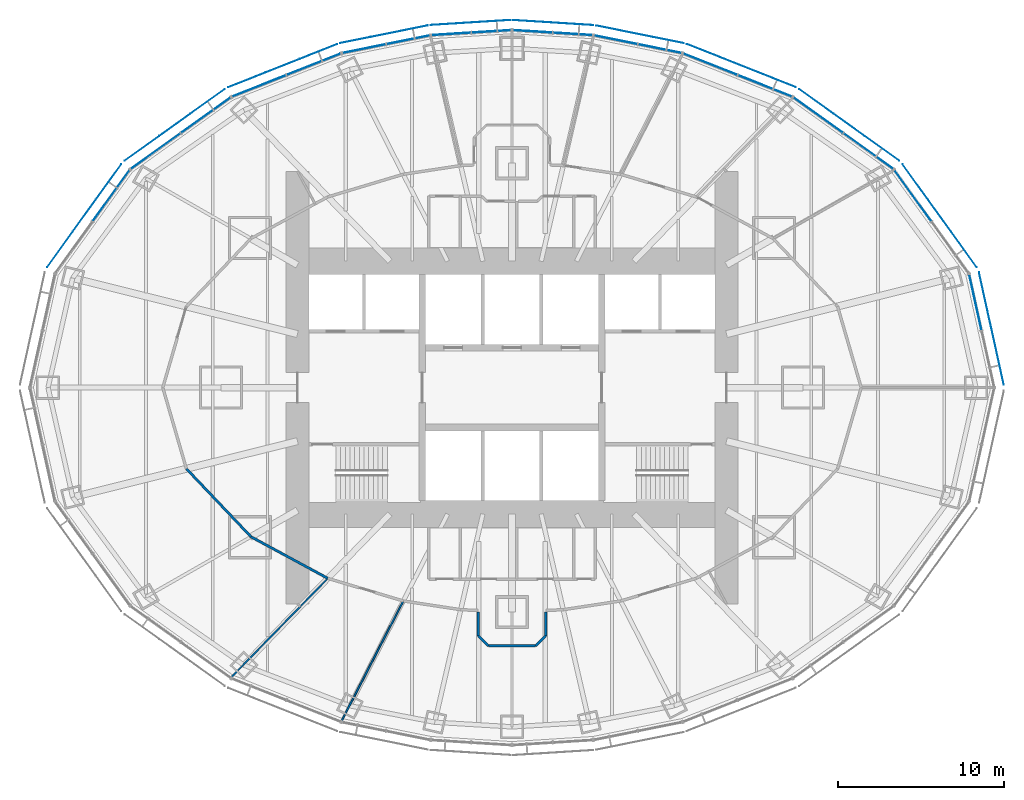
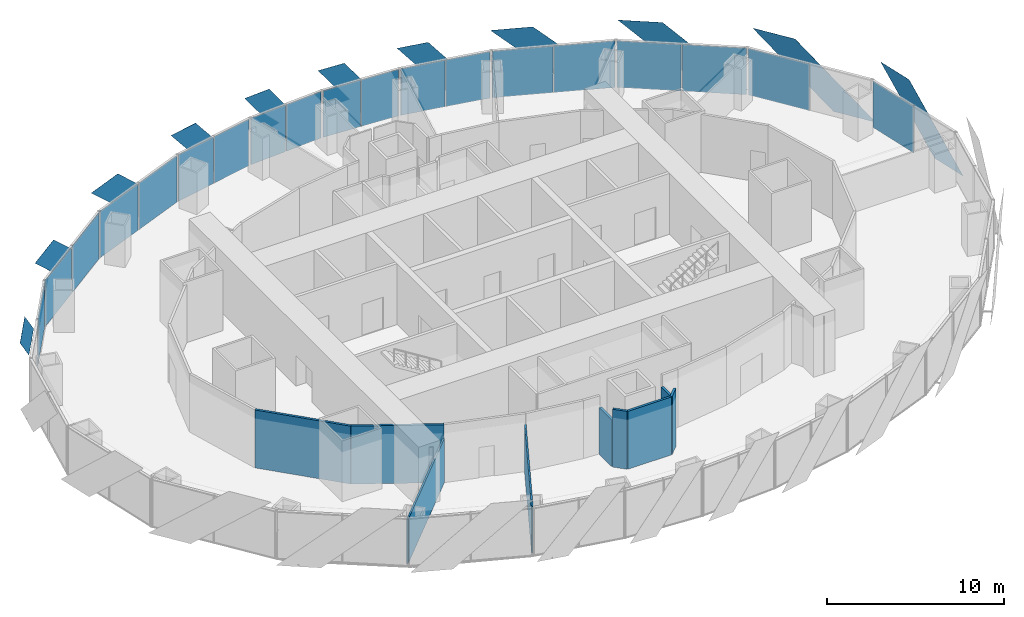
# One storey, part 10 of 18: 30 plates, 9 walls, 11 elements without a shape of their own.
"""IFC4 building model written with IfcOpenShell, lengths in metres."""

from ifc_helpers import new_model, si_unit, direction, frame, frame_2d, origin, origin_2d, place, context, subcontext, project, spatial, polyline, rectangle, outline, extrude, material, layer, layer_set, type_object, element, aggregate, save


model = new_model("IFC4")

# Units and contexts
model_context = context("Model", 3, precision=1e-05, world=origin(), true_north=direction((0.0, 1.0)))
body_context = subcontext(model_context, "Body", "Model", "MODEL_VIEW")
ifc_project = project(units=[si_unit("LENGTHUNIT", "METRE"), si_unit("AREAUNIT", "SQUARE_METRE"), si_unit("VOLUMEUNIT", "CUBIC_METRE"), si_unit("PLANEANGLEUNIT", "RADIAN"), si_unit("MASSUNIT", "GRAM", prefix="KILO")], contexts=[model_context])

# Site, building, storey
site_placement = place(None, origin())
site = spatial("IfcSite", under=ifc_project, at=site_placement, CompositionType="ELEMENT")
building_placement = place(site_placement, origin())
building = spatial("IfcBuilding", under=site, at=building_placement, Name="Lantaw Convention Tower", CompositionType="ELEMENT")
storey_placement = place(building_placement, frame((0.0, 0.0, 188.800048828125)))
storey = spatial("IfcBuildingStorey", under=building, at=storey_placement, Name="L44", CompositionType="ELEMENT", Elevation=188.800048828125)

# Curtain wall, plate
ifc_material_1 = material(Name="Aluminium framed curtain wall", Category="aluminium")
curtain_wall_type = type_object("IfcCurtainWallType", Name="Office curtain wall low rise, pale aluminium", PredefinedType="USERDEFINED", material=ifc_material_1)
curtain_wall_1_placement = place(storey_placement, origin())
curtain_wall_1 = element("IfcCurtainWall", 1, at=curtain_wall_1_placement, inside=storey, type_object=curtain_wall_type, Name="Office curtain wall low rise, pale aluminium L44", ObjectType="UNITISED CURTAIN WALL", PredefinedType="USERDEFINED")
ifc_material_2 = material(Name="Clear insulating glass", Category="glass")
ifc_layer_1 = layer(ifc_material_2, 0.028076171875)
ifc_layer_set_1 = layer_set([ifc_layer_1], Name="CW-O1 panel 28")
plate_type_1 = type_object("IfcPlateType", Name="CW-O1 panel 28", PredefinedType="CURTAIN_PANEL", material=ifc_layer_set_1)
plate_1_placement = place(storey_placement, frame((27.868896484375, 5.1240234375, -0.0849609375), z_axis=(0.0, 0.0, 1.0), x_axis=(-0.215546166174, 0.9764936509, 0.0)))
plate_1 = element("IfcPlate", 2, at=plate_1_placement, type_object=plate_type_1, Name="CW-O1 panel 2.1", PredefinedType="CURTAIN_PANEL", context=body_context, shape_type="SweptSolid", body=[
    extrude(rectangle(XDim=3.41162109375, YDim=0.028076171875, at=origin_2d()), origin(), (0.0, 0.0, 1.0), 3.219970703125),
])
aggregate(curtain_wall_1, [plate_1])

curtain_wall_2_placement = place(storey_placement, origin())
curtain_wall_2 = element("IfcCurtainWall", 3, at=curtain_wall_2_placement, inside=storey, type_object=curtain_wall_type, Name="Office curtain wall low rise, pale aluminium L44", ObjectType="UNITISED CURTAIN WALL", PredefinedType="USERDEFINED")
plate_2_placement = place(storey_placement, frame((24.108154296875, 11.5439453125, -0.0849609375), z_axis=(0.0, 0.0, 1.0), x_axis=(-0.584512597221, 0.811384633629, 0.0)))
plate_2 = element("IfcPlate", 4, at=plate_2_placement, type_object=plate_type_1, Name="CW-O1 panel 2.1", PredefinedType="CURTAIN_PANEL", context=body_context, shape_type="SweptSolid", body=[
    extrude(rectangle(XDim=3.767333984375, YDim=0.028076171875, at=origin_2d()), origin(), (0.0, 0.0, 1.0), 3.219970703125),
])
aggregate(curtain_wall_2, [plate_2])

# Curtain wall, plates
curtain_wall_3_placement = place(storey_placement, origin())
curtain_wall_3 = element("IfcCurtainWall", 5, at=curtain_wall_3_placement, inside=storey, type_object=curtain_wall_type, Name="Office curtain wall low rise, pale aluminium L44", ObjectType="UNITISED CURTAIN WALL", PredefinedType="USERDEFINED")
plate_3_placement = place(storey_placement, frame((21.43408203125, 14.2236328125, -0.0849609375), z_axis=(0.0, 0.0, 1.0), x_axis=(-0.813208325995, 0.581972695693, 0.0)))
plate_3 = element("IfcPlate", 6, at=plate_3_placement, type_object=plate_type_1, Name="CW-O1 panel 1.1", PredefinedType="CURTAIN_PANEL", context=body_context, shape_type="SweptSolid", body=[
    extrude(rectangle(XDim=3.645263671875, YDim=0.028076171875, at=origin_2d()), origin(), (0.0, 0.0, 1.0), 3.219970703125),
])
plate_4_placement = place(storey_placement, frame((18.416748046875, 16.383056640625, -0.0849609375), z_axis=(0.0, 0.0, 1.0), x_axis=(-0.813208325995, 0.581972695693, 0.0)))
plate_4 = element("IfcPlate", 7, at=plate_4_placement, type_object=plate_type_1, Name="CW-O1 panel 2.1", PredefinedType="CURTAIN_PANEL", context=body_context, shape_type="SweptSolid", body=[
    extrude(rectangle(XDim=3.645263671875, YDim=0.028076171875, at=origin_2d()), origin(), (0.0, 0.0, 1.0), 3.219970703125),
])
aggregate(curtain_wall_3, [plate_3, plate_4])

curtain_wall_4_placement = place(storey_placement, origin())
curtain_wall_4 = element("IfcCurtainWall", 8, at=curtain_wall_4_placement, inside=storey, type_object=curtain_wall_type, Name="Office curtain wall low rise, pale aluminium L44", ObjectType="UNITISED CURTAIN WALL", PredefinedType="USERDEFINED")
plate_5_placement = place(storey_placement, frame((15.208251953125, 18.145263671875, -0.0849609375), z_axis=(0.0, 0.0, 1.0), x_axis=(-0.929547687544, 0.368701907483, 0.0)))
plate_5 = element("IfcPlate", 9, at=plate_5_placement, type_object=plate_type_1, Name="CW-O1 panel 1.1", PredefinedType="CURTAIN_PANEL", context=body_context, shape_type="SweptSolid", body=[
    extrude(rectangle(XDim=3.470703125, YDim=0.028076171875, at=origin_2d()), origin(), (0.0, 0.0, 1.0), 3.219970703125),
])
plate_6_placement = place(storey_placement, frame((11.921630859375, 19.448974609375, -0.0849609375), z_axis=(0.0, 0.0, 1.0), x_axis=(-0.929547687544, 0.368701907483, 0.0)))
plate_6 = element("IfcPlate", 10, at=plate_6_placement, type_object=plate_type_1, Name="CW-O1 panel 2.1", PredefinedType="CURTAIN_PANEL", context=body_context, shape_type="SweptSolid", body=[
    extrude(rectangle(XDim=3.470703125, YDim=0.028076171875, at=origin_2d()), origin(), (0.0, 0.0, 1.0), 3.219970703125),
])
aggregate(curtain_wall_4, [plate_5, plate_6])

curtain_wall_5_placement = place(storey_placement, origin())
curtain_wall_5 = element("IfcCurtainWall", 11, at=curtain_wall_5_placement, inside=storey, type_object=curtain_wall_type, Name="Office curtain wall low rise, pale aluminium L44", ObjectType="UNITISED CURTAIN WALL", PredefinedType="USERDEFINED")
plate_7_placement = place(storey_placement, frame((8.893310546875, 20.3857421875, -0.0849609375), z_axis=(0.0, 0.0, 1.0), x_axis=(-0.980301514912, 0.197506809659, 0.0)))
plate_7 = element("IfcPlate", 12, at=plate_7_placement, type_object=plate_type_1, Name="CW-O1 panel 1.1", PredefinedType="CURTAIN_PANEL", context=body_context, shape_type="SweptSolid", body=[
    extrude(rectangle(XDim=2.634033203125, YDim=0.028076171875, at=origin_2d()), origin(), (0.0, 0.0, 1.0), 3.219970703125),
])
plate_8_placement = place(storey_placement, frame((6.247314453125, 20.9189453125, -0.0849609375), z_axis=(0.0, 0.0, 1.0), x_axis=(-0.980301514912, 0.197506809659, 0.0)))
plate_8 = element("IfcPlate", 13, at=plate_8_placement, type_object=plate_type_1, Name="CW-O1 panel 2.1", PredefinedType="CURTAIN_PANEL", context=body_context, shape_type="SweptSolid", body=[
    extrude(rectangle(XDim=2.634033203125, YDim=0.028076171875, at=origin_2d()), origin(), (0.0, 0.0, 1.0), 3.219970703125),
])
aggregate(curtain_wall_5, [plate_7, plate_8])

curtain_wall_6_placement = place(storey_placement, origin())
curtain_wall_6 = element("IfcCurtainWall", 14, at=curtain_wall_6_placement, inside=storey, type_object=curtain_wall_type, Name="Office curtain wall low rise, pale aluminium L44", ObjectType="UNITISED CURTAIN WALL", PredefinedType="USERDEFINED")
plate_9_placement = place(storey_placement, frame((3.653076171875, 21.269775390625, -0.0849609375), z_axis=(0.0, 0.0, 1.0), x_axis=(-0.998022035978, 0.062865059466, 0.0)))
plate_9 = element("IfcPlate", 15, at=plate_9_placement, type_object=plate_type_1, Name="CW-O1 panel 1.1", PredefinedType="CURTAIN_PANEL", context=body_context, shape_type="SweptSolid", body=[
    extrude(rectangle(XDim=2.353515625, YDim=0.028076171875, at=origin_2d()), origin(), (0.0, 0.0, 1.0), 3.219970703125),
])
plate_10_placement = place(storey_placement, frame((1.2392578125, 21.421875, -0.0849609375), z_axis=(0.0, 0.0, 1.0), x_axis=(-0.998022035978, 0.062865059466, 0.0)))
plate_10 = element("IfcPlate", 16, at=plate_10_placement, type_object=plate_type_1, Name="CW-O1 panel 2.1", PredefinedType="CURTAIN_PANEL", context=body_context, shape_type="SweptSolid", body=[
    extrude(rectangle(XDim=2.353515625, YDim=0.028076171875, at=origin_2d()), origin(), (0.0, 0.0, 1.0), 3.219970703125),
])
aggregate(curtain_wall_6, [plate_9, plate_10])

curtain_wall_7_placement = place(storey_placement, origin())
curtain_wall_7 = element("IfcCurtainWall", 17, at=curtain_wall_7_placement, inside=storey, type_object=curtain_wall_type, Name="Office curtain wall low rise, pale aluminium L44", ObjectType="UNITISED CURTAIN WALL", PredefinedType="USERDEFINED")
plate_11_placement = place(storey_placement, frame((-1.2392578125, 21.421875, -0.0849609375), z_axis=(0.0, 0.0, 1.0), x_axis=(-0.998022035978, -0.062865059466, 0.0)))
plate_11 = element("IfcPlate", 18, at=plate_11_placement, type_object=plate_type_1, Name="CW-O1 panel 1.1", PredefinedType="CURTAIN_PANEL", context=body_context, shape_type="SweptSolid", body=[
    extrude(rectangle(XDim=2.353515625, YDim=0.028076171875, at=origin_2d()), origin(), (0.0, 0.0, 1.0), 3.219970703125),
])
plate_12_placement = place(storey_placement, frame((-3.653076171875, 21.269775390625, -0.0849609375), z_axis=(0.0, 0.0, 1.0), x_axis=(-0.998022035978, -0.062865059466, 0.0)))
plate_12 = element("IfcPlate", 19, at=plate_12_placement, type_object=plate_type_1, Name="CW-O1 panel 2.1", PredefinedType="CURTAIN_PANEL", context=body_context, shape_type="SweptSolid", body=[
    extrude(rectangle(XDim=2.353515625, YDim=0.028076171875, at=origin_2d()), origin(), (0.0, 0.0, 1.0), 3.219970703125),
])
aggregate(curtain_wall_7, [plate_11, plate_12])

curtain_wall_8_placement = place(storey_placement, origin())
curtain_wall_8 = element("IfcCurtainWall", 20, at=curtain_wall_8_placement, inside=storey, type_object=curtain_wall_type, Name="Office curtain wall low rise, pale aluminium L44", ObjectType="UNITISED CURTAIN WALL", PredefinedType="USERDEFINED")
plate_13_placement = place(storey_placement, frame((-6.247314453125, 20.9189453125, -0.0849609375), z_axis=(0.0, 0.0, 1.0), x_axis=(-0.980301514912, -0.197506809659, 0.0)))
plate_13 = element("IfcPlate", 21, at=plate_13_placement, type_object=plate_type_1, Name="CW-O1 panel 1.1", PredefinedType="CURTAIN_PANEL", context=body_context, shape_type="SweptSolid", body=[
    extrude(rectangle(XDim=2.634033203125, YDim=0.028076171875, at=origin_2d()), origin(), (0.0, 0.0, 1.0), 3.219970703125),
])
plate_14_placement = place(storey_placement, frame((-8.893310546875, 20.3857421875, -0.0849609375), z_axis=(0.0, 0.0, 1.0), x_axis=(-0.980301514912, -0.197506809659, 0.0)))
plate_14 = element("IfcPlate", 22, at=plate_14_placement, type_object=plate_type_1, Name="CW-O1 panel 2.1", PredefinedType="CURTAIN_PANEL", context=body_context, shape_type="SweptSolid", body=[
    extrude(rectangle(XDim=2.634033203125, YDim=0.028076171875, at=origin_2d()), origin(), (0.0, 0.0, 1.0), 3.219970703125),
])
aggregate(curtain_wall_8, [plate_13, plate_14])

curtain_wall_9_placement = place(storey_placement, origin())
curtain_wall_9 = element("IfcCurtainWall", 23, at=curtain_wall_9_placement, inside=storey, type_object=curtain_wall_type, Name="Office curtain wall low rise, pale aluminium L44", ObjectType="UNITISED CURTAIN WALL", PredefinedType="USERDEFINED")
plate_15_placement = place(storey_placement, frame((-11.921630859375, 19.448974609375, -0.0849609375), z_axis=(0.0, 0.0, 1.0), x_axis=(-0.929547687544, -0.368701907483, 0.0)))
plate_15 = element("IfcPlate", 24, at=plate_15_placement, type_object=plate_type_1, Name="CW-O1 panel 1.1", PredefinedType="CURTAIN_PANEL", context=body_context, shape_type="SweptSolid", body=[
    extrude(rectangle(XDim=3.470703125, YDim=0.028076171875, at=origin_2d()), origin(), (0.0, 0.0, 1.0), 3.219970703125),
])
plate_16_placement = place(storey_placement, frame((-15.208251953125, 18.145263671875, -0.0849609375), z_axis=(0.0, 0.0, 1.0), x_axis=(-0.929547687544, -0.368701907483, 0.0)))
plate_16 = element("IfcPlate", 25, at=plate_16_placement, type_object=plate_type_1, Name="CW-O1 panel 2.1", PredefinedType="CURTAIN_PANEL", context=body_context, shape_type="SweptSolid", body=[
    extrude(rectangle(XDim=3.470703125, YDim=0.028076171875, at=origin_2d()), origin(), (0.0, 0.0, 1.0), 3.219970703125),
])
aggregate(curtain_wall_9, [plate_15, plate_16])

curtain_wall_10_placement = place(storey_placement, origin())
curtain_wall_10 = element("IfcCurtainWall", 26, at=curtain_wall_10_placement, inside=storey, type_object=curtain_wall_type, Name="Office curtain wall low rise, pale aluminium L44", ObjectType="UNITISED CURTAIN WALL", PredefinedType="USERDEFINED")
plate_17_placement = place(storey_placement, frame((-18.416748046875, 16.383056640625, -0.0849609375), z_axis=(0.0, 0.0, 1.0), x_axis=(-0.813208325995, -0.581972695693, 0.0)))
plate_17 = element("IfcPlate", 27, at=plate_17_placement, type_object=plate_type_1, Name="CW-O1 panel 1.1", PredefinedType="CURTAIN_PANEL", context=body_context, shape_type="SweptSolid", body=[
    extrude(rectangle(XDim=3.645263671875, YDim=0.028076171875, at=origin_2d()), origin(), (0.0, 0.0, 1.0), 3.219970703125),
])
plate_18_placement = place(storey_placement, frame((-21.43408203125, 14.2236328125, -0.0849609375), z_axis=(0.0, 0.0, 1.0), x_axis=(-0.813208325995, -0.581972695693, 0.0)))
plate_18 = element("IfcPlate", 28, at=plate_18_placement, type_object=plate_type_1, Name="CW-O1 panel 2.1", PredefinedType="CURTAIN_PANEL", context=body_context, shape_type="SweptSolid", body=[
    extrude(rectangle(XDim=3.645263671875, YDim=0.028076171875, at=origin_2d()), origin(), (0.0, 0.0, 1.0), 3.219970703125),
])
aggregate(curtain_wall_10, [plate_17, plate_18])

# Curtain wall, plate
curtain_wall_11_placement = place(storey_placement, origin())
curtain_wall_11 = element("IfcCurtainWall", 29, at=curtain_wall_11_placement, inside=storey, type_object=curtain_wall_type, Name="Office curtain wall low rise, pale aluminium L44", ObjectType="UNITISED CURTAIN WALL", PredefinedType="USERDEFINED")
plate_19_placement = place(storey_placement, frame((-24.108154296875, 11.5439453125, -0.0849609375), z_axis=(0.0, 0.0, 1.0), x_axis=(-0.584512597221, -0.811384633629, 0.0)))
plate_19 = element("IfcPlate", 30, at=plate_19_placement, type_object=plate_type_1, Name="CW-O1 panel 1.1", PredefinedType="CURTAIN_PANEL", context=body_context, shape_type="SweptSolid", body=[
    extrude(rectangle(XDim=3.767333984375, YDim=0.028076171875, at=origin_2d()), origin(), (0.0, 0.0, 1.0), 3.219970703125),
])
aggregate(curtain_wall_11, [plate_19])

# Plates
ifc_material_3 = material(Name="Perforated aluminium sheet, pale silver finish", Category="aluminium")
ifc_layer_2 = layer(ifc_material_3, 0.006103515625)
ifc_layer_set_2 = layer_set([ifc_layer_2], Name="Perforated aluminium solar SCREEN panel")
plate_type_2 = type_object("IfcPlateType", Name="Perforated aluminium solar SCREEN panel", PredefinedType="SHEET", material=ifc_layer_set_2)
plate_20_placement = place(storey_placement, frame((29.5810546875, 0.179443359375, -0.175048828125), z_axis=(0.976497812457, 0.215527309508, 3.3521393e-05), x_axis=(-0.215527309629, 0.976497813005, 1.675e-09)))
element("IfcPlate", 31, at=plate_20_placement, inside=storey, type_object=plate_type_2, Name="Solar SCREEN panel", PredefinedType="SHEET", context=body_context, shape_type="SweptSolid", body=[
    extrude(outline(polyline([(0.0, 0.0), (2.386184367360998, 0.0), (6.918240190546628, 4.314941397089342), (4.532108442157707, 4.314941405080847), (0.0, 0.0)])), origin(), (0.0, 0.0, -1.0), 0.006103515625),
])
plate_21_placement = place(storey_placement, frame((27.94970703125, 7.248046875, -0.175048828125), z_axis=(0.811395121584, 0.584498037095, 3.6095924e-05), x_axis=(-0.584498037475, 0.811395122112, -9.8e-10)))
element("IfcPlate", 32, at=plate_21_placement, inside=storey, type_object=plate_type_2, Name="Solar SCREEN panel", PredefinedType="SHEET", context=body_context, shape_type="SweptSolid", body=[
    extrude(outline(polyline([(0.0, 0.0), (2.628222178575422, 0.0), (7.629778257969265, 4.3149414165375495), (5.001754173906077, 4.314941411386866), (0.0, 0.0)])), origin(), (0.0, 0.0, -1.0), 0.006103515625),
])
plate_22_placement = place(storey_placement, frame((23.281005859375, 13.64697265625, -0.175048828125), z_axis=(0.582000183936, 0.813188653243, 1.1604381e-05), x_axis=(-0.813188653298, 0.582000183975, 0.0)))
element("IfcPlate", 33, at=plate_22_placement, inside=storey, type_object=plate_type_2, Name="Solar SCREEN panel", PredefinedType="SHEET", context=body_context, shape_type="SweptSolid", body=[
    extrude(outline(polyline([(0.0, 0.0), (2.5450183911586484, 0.0), (7.385531276904658, 4.3149414065405285), (4.840512885746009, 4.3149414065405285), (0.0, 0.0)])), origin(), (0.0, 0.0, -1.0), 0.006103515625),
])
plate_23_placement = place(storey_placement, frame((17.05859375, 18.063232421875, -0.175048828125), z_axis=(-0.368708915367, -0.929544907796, 1.0930381e-05), x_axis=(-0.929544907851, 0.368708915389, 7.14e-10)))
element("IfcPlate", 34, at=plate_23_placement, inside=storey, type_object=plate_type_2, Name="Solar SCREEN panel", PredefinedType="SHEET", context=body_context, shape_type="SweptSolid", body=[
    extrude(outline(polyline([(0.0, 0.0), (2.4263803793049097, 0.0), (7.036549629566982, -4.314941401484266), (4.61003232741235, -4.3149414049488195), (0.0, 0.0)])), origin(), (0.0, 0.0, -1.0), 0.006103515625),
])
plate_24_placement = place(storey_placement, frame((10.318603515625, 20.716796875, -0.175048828125), z_axis=(0.19755672544, 0.980291455974, 3.9713599e-05), x_axis=(-0.980291456747, 0.197556725596, 0.0)))
element("IfcPlate", 35, at=plate_24_placement, inside=storey, type_object=plate_type_2, Name="Solar SCREEN panel", PredefinedType="SHEET", context=body_context, shape_type="SweptSolid", body=[
    extrude(outline(polyline([(0.0, 0.0), (1.8574075788555457, 3.3881317890172014e-21), (5.362987026845185, 4.314941409652699), (3.505579447989639, 4.314941409652699), (0.0, 0.0)])), origin(), (0.0, 0.0, -1.0), 0.006103515625),
])
plate_25_placement = place(storey_placement, frame((4.880615234375, 21.7998046875, -0.175048828125), z_axis=(0.062838799866, 0.998023689713, 1.765287e-06), x_axis=(-0.998023689715, 0.062838799866, -8e-12)))
element("IfcPlate", 36, at=plate_25_placement, inside=storey, type_object=plate_type_2, Name="Solar SCREEN panel", PredefinedType="SHEET", context=body_context, shape_type="SweptSolid", body=[
    extrude(outline(polyline([(0.0, 0.0), (1.6666243269452135, 2.6469779601696886e-23), (4.802214797186689, 4.314941406295741), (3.135346812114104, 4.314941406268657), (0.0, 0.0)])), origin(), (0.0, 0.0, -1.0), 0.006103515625),
])
plate_26_placement = place(storey_placement, frame((-0.087890625, 22.1015625, -0.175048828125), z_axis=(0.062838799866, -0.998023689713, 1.765287e-06), x_axis=(-0.998023689715, -0.062838799866, 8e-12)))
element("IfcPlate", 37, at=plate_26_placement, inside=storey, type_object=plate_type_2, Name="Solar SCREEN panel", PredefinedType="SHEET", context=body_context, shape_type="SweptSolid", body=[
    extrude(outline(polyline([(0.0, 0.0), (1.6668679850725854, -5.293955920339377e-23), (4.802214797256801, -4.314941406217712), (3.1355904703115876, -4.314941406244793), (0.0, 0.0)])), origin(), (0.0, 0.0, -1.0), 0.006103515625),
])
plate_27_placement = place(storey_placement, frame((-5.061279296875, 21.776123046875, -0.175048828125), z_axis=(0.19755672544, -0.980291455974, 3.9713599e-05), x_axis=(-0.980291456747, -0.197556725596, 0.0)))
element("IfcPlate", 38, at=plate_27_placement, inside=storey, type_object=plate_type_2, Name="Solar SCREEN panel", PredefinedType="SHEET", context=body_context, shape_type="SweptSolid", body=[
    extrude(outline(polyline([(0.0, 0.0), (1.8574075788555457, -3.3881317890172014e-21), (5.362987026845185, -4.314941409652699), (3.505579447989639, -4.314941409652699), (0.0, 0.0)])), origin(), (0.0, 0.0, -1.0), 0.006103515625),
])
plate_28_placement = place(storey_placement, frame((-10.517822265625, 20.65771484375, -0.175048828125), z_axis=(-0.368708915367, 0.929544907796, 1.0930381e-05), x_axis=(-0.929544907851, -0.368708915389, -7.14e-10)))
element("IfcPlate", 39, at=plate_28_placement, inside=storey, type_object=plate_type_2, Name="Solar SCREEN panel", PredefinedType="SHEET", context=body_context, shape_type="SweptSolid", body=[
    extrude(outline(polyline([(0.0, 0.0), (2.4265173021546316, 0.0), (7.036549623406159, 4.314941411530969), (4.610169244101249, 4.314941408066613), (0.0, 0.0)])), origin(), (0.0, 0.0, -1.0), 0.006103515625),
])
plate_29_placement = place(storey_placement, frame((-17.275146484375, 17.9453125, -0.175048828125), z_axis=(0.582000183936, -0.813188653243, 1.1604381e-05), x_axis=(-0.813188653298, -0.582000183975, 0.0)))
element("IfcPlate", 40, at=plate_29_placement, inside=storey, type_object=plate_type_2, Name="Solar SCREEN panel", PredefinedType="SHEET", context=body_context, shape_type="SweptSolid", body=[
    extrude(outline(polyline([(0.0, 0.0), (2.5450183911586484, 0.0), (7.385531276904658, -4.3149414065405285), (4.840512885746009, -4.3149414065405285), (0.0, 0.0)])), origin(), (0.0, 0.0, -1.0), 0.006103515625),
])
plate_30_placement = place(storey_placement, frame((-23.489990234375, 13.438720703125, -0.175048828125), z_axis=(0.811395121584, -0.584498037095, 3.6095924e-05), x_axis=(-0.584498037475, -0.811395122112, 9.8e-10)))
element("IfcPlate", 41, at=plate_30_placement, inside=storey, type_object=plate_type_2, Name="Solar SCREEN panel", PredefinedType="SHEET", context=body_context, shape_type="SweptSolid", body=[
    extrude(outline(polyline([(0.0, 0.0), (2.6280240840631874, 0.0), (7.62977826642615, -4.314941401583891), (5.001556087850728, -4.314941406734963), (0.0, 0.0)])), origin(), (0.0, 0.0, -1.0), 0.006103515625),
])

# Walls
ifc_material_4 = material(Name="Gypsum board on steel studs, fire rated", Category="steel")
ifc_layer_3 = layer(ifc_material_4, 0.14990234375)
ifc_layer_set_3 = layer_set([ifc_layer_3], Name="Corridor wall 150 EI 60")
wall_type_1 = type_object("IfcWallType", Name="Corridor wall 150 EI 60", PredefinedType="PARTITIONING", material=ifc_layer_set_3)
wall_1_placement = place(storey_placement, frame((-19.5791015625, -4.881591796875, 0.0), z_axis=(0.0, 0.0, 1.0), x_axis=(0.688797257101, -0.72495402517, 0.0)))
element("IfcWall", 42, at=wall_1_placement, inside=storey, type_object=wall_type_1, Name="Corridor wall 150", PredefinedType="PARTITIONING", context=body_context, shape_type="SweptSolid", body=[
    extrude(rectangle(XDim=5.63818359375, YDim=0.14990234375, at=frame_2d((2.819091796875, 0.0))), origin(), (0.0, 0.0, 1.0), 4.0),
])
wall_2_placement = place(storey_placement, frame((-15.695556640625, -8.968994140625, 0.0), z_axis=(0.0, 0.0, 1.0), x_axis=(0.879436285334, -0.476016617397, 0.0)))
element("IfcWall", 43, at=wall_2_placement, inside=storey, type_object=wall_type_1, Name="Corridor wall 150", PredefinedType="PARTITIONING", context=body_context, shape_type="SweptSolid", body=[
    extrude(rectangle(XDim=5.2529296875, YDim=0.14990234375, at=frame_2d((2.62646484375, 0.0))), origin(), (0.0, 0.0, 1.0), 4.0),
])
for number, where, z_axis, x_axis, name in (
    (44, (-2.02490234375, -14.924560546875, 0.0), (0.0, 0.0, 1.0), (0.0, 1.0, 0.0), "Corridor wall 150"),
    (45, (2.02490234375, -13.505126953125, 0.0), (0.0, 0.0, 1.0), (0.0, -1.0, 0.0), "Corridor wall 150"),
):
    element("IfcWall", number, at=place(storey_placement, frame(where, z_axis=z_axis, x_axis=x_axis)), inside=storey, type_object=wall_type_1, Name=name, PredefinedType="PARTITIONING", context=body_context, shape_type="SweptSolid", body=[
        extrude(rectangle(XDim=1.41943359375, YDim=0.14990234375, at=frame_2d((0.709716796875, 0.0))), origin(), (0.0, 0.0, 1.0), 3.230224609375),
    ])
wall_3_placement = place(storey_placement, frame((2.02490234375, -14.924560546875, 0.0), z_axis=(0.0, 0.0, 1.0), x_axis=(-0.707106781187, -0.707106781187, 0.0)))
element("IfcWall", 46, at=wall_3_placement, inside=storey, type_object=wall_type_1, Name="Corridor wall 150", PredefinedType="PARTITIONING", context=body_context, shape_type="SweptSolid", body=[
    extrude(rectangle(XDim=0.84912109375, YDim=0.14990234375, at=frame_2d((0.424560546875, 0.0))), origin(), (0.0, 0.0, 1.0), 4.0),
])
wall_4_placement = place(storey_placement, frame((1.424560546875, -15.52490234375, 0.0), z_axis=(0.0, 0.0, 1.0), x_axis=(-1.0, 0.0, 0.0)))
element("IfcWall", 47, at=wall_4_placement, inside=storey, type_object=wall_type_1, Name="Corridor wall 150", PredefinedType="PARTITIONING", context=body_context, shape_type="SweptSolid", body=[
    extrude(rectangle(XDim=2.84912109375, YDim=0.14990234375, at=frame_2d((1.424560546875, 0.0))), origin(), (0.0, 0.0, 1.0), 4.0),
])
wall_5_placement = place(storey_placement, frame((-1.424560546875, -15.52490234375, 0.0), z_axis=(0.0, 0.0, 1.0), x_axis=(-0.707106781187, 0.707106781187, 0.0)))
element("IfcWall", 48, at=wall_5_placement, inside=storey, type_object=wall_type_1, Name="Corridor wall 150", PredefinedType="PARTITIONING", context=body_context, shape_type="SweptSolid", body=[
    extrude(rectangle(XDim=0.84912109375, YDim=0.14990234375, at=frame_2d((0.424560546875, 0.0))), origin(), (0.0, 0.0, 1.0), 4.0),
])
ifc_material_5 = material(Name="Gypsum board on steel studs, acoustic", Category="steel")
ifc_layer_4 = layer(ifc_material_5, 0.10009765625)
ifc_layer_set_4 = layer_set([ifc_layer_4], Name="Office partition 100")
wall_type_2 = type_object("IfcWallType", Name="Office partition 100", PredefinedType="PARTITIONING", material=ifc_layer_set_4)
wall_6_placement = place(storey_placement, frame((-16.88232421875, -17.413818359375, 0.0), z_axis=(0.0, 0.0, 1.0), x_axis=(0.698758056249, 0.715358077348, 0.0)))
element("IfcWall", 49, at=wall_6_placement, inside=storey, type_object=wall_type_2, Name="Office partition 100", PredefinedType="PARTITIONING", context=body_context, shape_type="SweptSolid", body=[
    extrude(rectangle(XDim=8.3095703125, YDim=0.10009765625, at=frame_2d((4.15478515625, 0.0))), origin(), (0.0, 0.0, 1.0), 3.0576171875),
])
wall_7_placement = place(storey_placement, frame((-10.253173828125, -20.0517578125, 0.0), z_axis=(0.0, 0.0, 1.0), x_axis=(0.457535449567, 0.889191381194, 0.0)))
element("IfcWall", 50, at=wall_7_placement, inside=storey, type_object=wall_type_2, Name="Office partition 100", PredefinedType="PARTITIONING", context=body_context, shape_type="SweptSolid", body=[
    extrude(rectangle(XDim=8.12255859375, YDim=0.10009765625, at=frame_2d((4.061279296875, 0.0))), origin(), (0.0, 0.0, 1.0), 3.227783203125),
])

save(model, "model.ifc")
